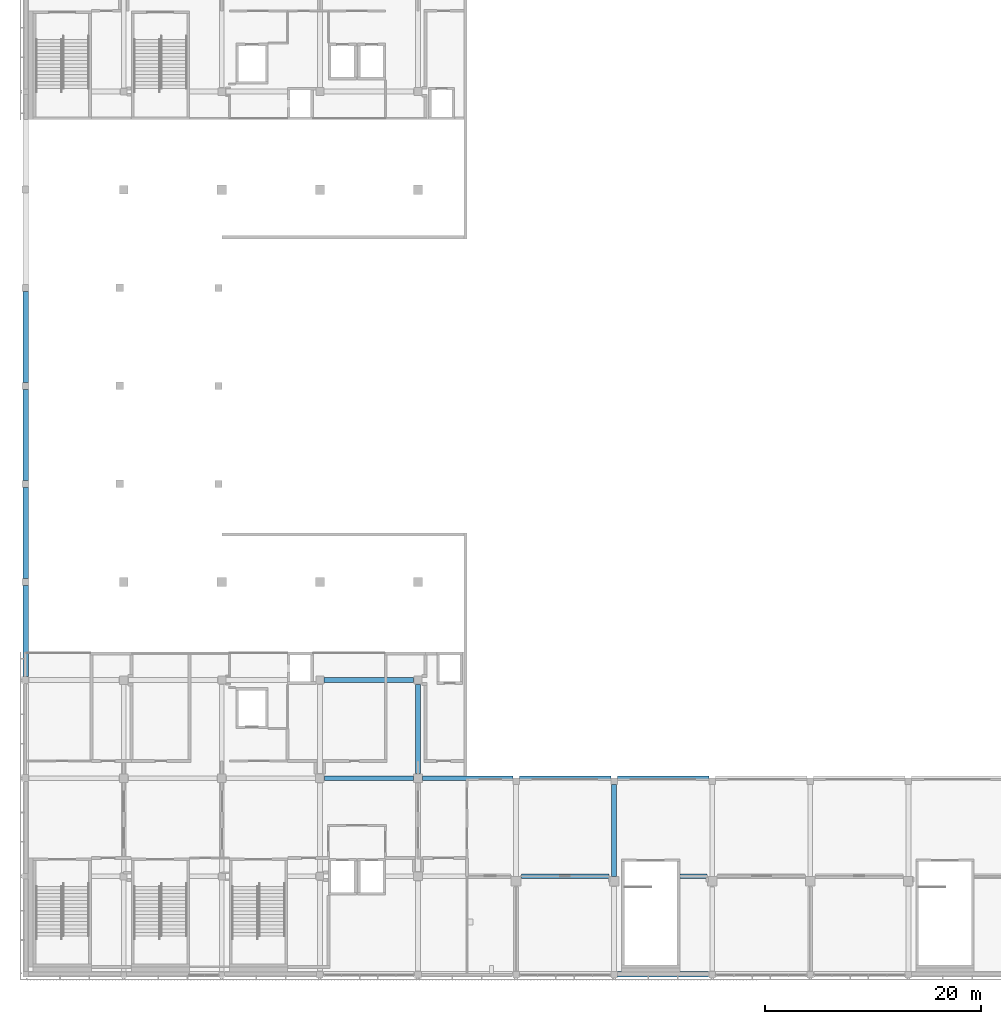
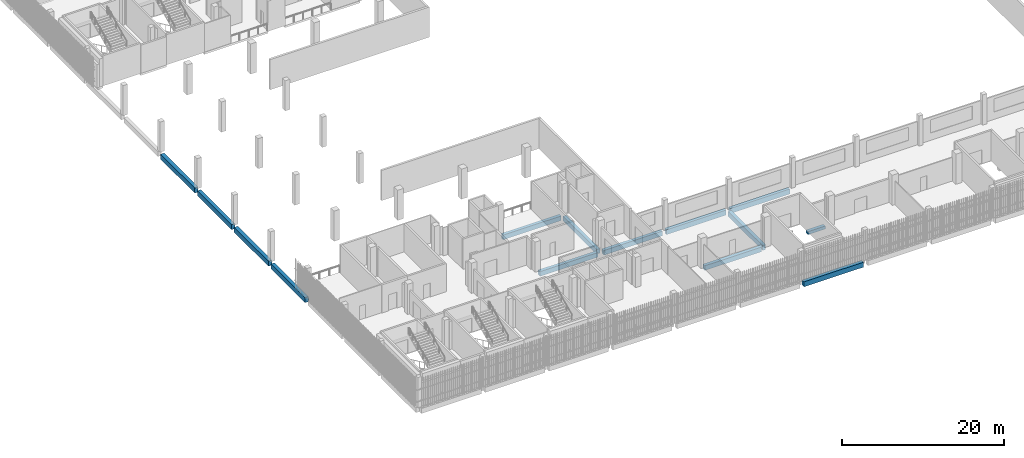
# One storey, part 11 of 104: 14 beams.
"""IFC4 building model written with IfcOpenShell, lengths in metres."""

from ifc_helpers import new_model, si_unit, direction, frame, origin, origin_2d, place, context, subcontext, project, spatial, rectangle, extrude, material, material_profile, profile_set, type_object, element, save


model = new_model("IFC4")

# Units and contexts
model_context = context("Model", 3, precision=1e-05, world=origin(), true_north=direction((0.0, 1.0)))
body_context = subcontext(model_context, "Body", "Model", "MODEL_VIEW")
ifc_project = project(units=[si_unit("LENGTHUNIT", "METRE"), si_unit("AREAUNIT", "SQUARE_METRE"), si_unit("VOLUMEUNIT", "CUBIC_METRE"), si_unit("PLANEANGLEUNIT", "RADIAN"), si_unit("MASSUNIT", "GRAM", prefix="KILO")], contexts=[model_context])

# Site, building, storey
site_placement = place(None, origin())
site = spatial("IfcSite", under=ifc_project, at=site_placement, CompositionType="ELEMENT")
building_placement = place(site_placement, origin())
building = spatial("IfcBuilding", under=site, at=building_placement, Name="Shirokan Park Arena", CompositionType="ELEMENT")
storey_placement = place(building_placement, frame((0.0, 0.0, 10.919921875)))
storey = spatial("IfcBuildingStorey", under=building, at=storey_placement, Name="L02", CompositionType="ELEMENT", Elevation=10.919921875)

# Beams
ifc_material = material(Name="Concrete C35", Category="concrete")
ifc_material_profile_1 = material_profile(ifc_material, rectangle(XDim=0.449951171875, YDim=0.699951171875, at=origin_2d()), Name="450x700")
ifc_profile_set_1 = profile_set([ifc_material_profile_1], Name="Concrete C35")
beam_type_1 = type_object("IfcBeamType", Name="RC girder 450x700", PredefinedType="BEAM", material=ifc_profile_set_1)
beam_1_placement = place(storey_placement, frame((27.72509765625, 18.199951171875, -0.64990234375), z_axis=(1.0, 0.0, 0.0), x_axis=(0.0, 1.0, 0.0)))
element("IfcBeam", 1, at=beam_1_placement, inside=storey, type_object=beam_type_1, Name="Girder 4C-5C L02", PredefinedType="BEAM", context=body_context, shape_type="SweptSolid", body=[
    extrude(rectangle(XDim=0.449951171875, YDim=0.699951171875, at=origin_2d()), origin(), (0.0, 0.0, 1.0), 8.249755859375),
])
beam_2_placement = place(storey_placement, frame((27.7001953125, 27.300048828125, -0.64990234375), z_axis=(1.0, 0.0, 0.0), x_axis=(0.0, 1.0, 0.0)))
element("IfcBeam", 2, at=beam_2_placement, inside=storey, type_object=beam_type_1, Name="Girder 4D-5D L02", PredefinedType="BEAM", context=body_context, shape_type="SweptSolid", body=[
    extrude(rectangle(XDim=0.449951171875, YDim=0.699951171875, at=origin_2d()), origin(), (0.0, 0.0, 1.0), 8.2998046875),
])
beam_3_placement = place(storey_placement, frame((36.8251953125, 18.199951171875, -0.64990234375), z_axis=(1.0, 0.0, 0.0), x_axis=(0.0, 1.0, 0.0)))
element("IfcBeam", 3, at=beam_3_placement, inside=storey, type_object=beam_type_1, Name="Girder 5C-6C L02", PredefinedType="BEAM", context=body_context, shape_type="SweptSolid", body=[
    extrude(rectangle(XDim=0.449951171875, YDim=0.699951171875, at=origin_2d()), origin(), (0.0, 0.0, 1.0), 8.374755859375),
])
beam_4_placement = place(storey_placement, frame((46.0, 9.10009765625, -0.64990234375), z_axis=(1.0, 0.0, 0.0), x_axis=(0.0, 1.0, 0.0)))
element("IfcBeam", 4, at=beam_4_placement, inside=storey, type_object=beam_type_1, Name="Girder 6B-7B L02", PredefinedType="BEAM", context=body_context, shape_type="SweptSolid", body=[
    extrude(rectangle(XDim=0.449951171875, YDim=0.699951171875, at=origin_2d()), origin(), (0.0, 0.0, 1.0), 8.125),
])
beam_5_placement = place(storey_placement, frame((36.39990234375, 18.625, -0.64990234375), z_axis=(0.0, 1.0, 0.0), x_axis=(-1.0, 0.0, 0.0)))
element("IfcBeam", 5, at=beam_5_placement, inside=storey, type_object=beam_type_1, Name="Girder 5C-5D L02", PredefinedType="BEAM", context=body_context, shape_type="SweptSolid", body=[
    extrude(rectangle(XDim=0.449951171875, YDim=0.699951171875, at=origin_2d()), origin(), (0.0, 0.0, 1.0), 8.27490234375),
])
ifc_material_profile_2 = material_profile(ifc_material, rectangle(XDim=0.449951171875, YDim=0.75, at=origin_2d()), Name="450x750")
ifc_profile_set_2 = profile_set([ifc_material_profile_2], Name="Concrete C35")
beam_type_2 = type_object("IfcBeamType", Name="RC girder 450x750", PredefinedType="BEAM", material=ifc_profile_set_2)
for number, where, z_axis, x_axis, name in (
    (6, (45.800048828125, 18.199951171875, -0.6748046875), (1.0, 0.0, 0.0), (0.0, 1.0, 0.0), "Girder 6C-7C L02"),
    (7, (54.900146484375, 18.199951171875, -0.6748046875), (1.0, 0.0, 0.0), (0.0, 1.0, 0.0), "Girder 7C-8C L02"),
    (8, (54.60009765625, 9.10009765625, -0.6748046875), (0.0, 1.0, 0.0), (-1.0, 0.0, 0.0), "Girder 7B-7C L02"),
):
    element("IfcBeam", number, at=place(storey_placement, frame(where, z_axis=z_axis, x_axis=x_axis)), inside=storey, type_object=beam_type_2, Name=name, PredefinedType="BEAM", context=body_context, shape_type="SweptSolid", body=[
        extrude(rectangle(XDim=0.449951171875, YDim=0.75, at=origin_2d()), origin(), (0.0, 0.0, 1.0), 8.499755859375),
    ])
ifc_material_profile_3 = material_profile(ifc_material, rectangle(XDim=0.5, YDim=0.75, at=origin_2d()), Name="500x750")
ifc_profile_set_3 = profile_set([ifc_material_profile_3], Name="Concrete C35")
beam_type_3 = type_object("IfcBeamType", Name="RC girder 500x750", PredefinedType="BEAM", material=ifc_profile_set_3)
beam_6_placement = place(storey_placement, frame((54.900146484375, 0.0, -0.6748046875), z_axis=(1.0, 0.0, 0.0), x_axis=(0.0, 1.0, 0.0)))
element("IfcBeam", 9, at=beam_6_placement, inside=storey, type_object=beam_type_3, Name="Girder 7A-8A L02", PredefinedType="BEAM", context=body_context, shape_type="SweptSolid", body=[
    extrude(rectangle(XDim=0.5, YDim=0.75, at=origin_2d()), origin(), (0.0, 0.0, 1.0), 8.474853515625),
])
beam_7_placement = place(storey_placement, frame((0.0, 27.650146484375, -0.6748046875), z_axis=(0.0, 1.0, 0.0), x_axis=(-1.0, 0.0, 0.0)))
element("IfcBeam", 10, at=beam_7_placement, inside=storey, type_object=beam_type_3, Name="Girder 1D-1E L02", PredefinedType="BEAM", context=body_context, shape_type="SweptSolid", body=[
    extrude(rectangle(XDim=0.5, YDim=0.75, at=origin_2d()), origin(), (0.0, 0.0, 1.0), 8.4248046875),
])
for number, where, z_axis, x_axis, name in (
    (11, (0.0, 36.72509765625, -0.6748046875), (0.0, 1.0, 0.0), (-1.0, 0.0, 0.0), "Girder 1E-1F L02"),
    (12, (0.0, 45.8251953125, -0.6748046875), (0.0, 1.0, 0.0), (-1.0, 0.0, 0.0), "Girder 1F-1G L02"),
):
    element("IfcBeam", number, at=place(storey_placement, frame(where, z_axis=z_axis, x_axis=x_axis)), inside=storey, type_object=beam_type_3, Name=name, PredefinedType="BEAM", context=body_context, shape_type="SweptSolid", body=[
        extrude(rectangle(XDim=0.5, YDim=0.75, at=origin_2d()), origin(), (0.0, 0.0, 1.0), 8.44970703125),
    ])
beam_8_placement = place(storey_placement, frame((0.0, 54.925048828125, -0.6748046875), z_axis=(0.0, 1.0, 0.0), x_axis=(-1.0, 0.0, 0.0)))
element("IfcBeam", 13, at=beam_8_placement, inside=storey, type_object=beam_type_3, Name="Girder 1G-1H L02", PredefinedType="BEAM", context=body_context, shape_type="SweptSolid", body=[
    extrude(rectangle(XDim=0.5, YDim=0.75, at=origin_2d()), origin(), (0.0, 0.0, 1.0), 8.449951171875),
])
ifc_material_profile_4 = material_profile(ifc_material, rectangle(XDim=0.449951171875, YDim=0.449951171875, at=origin_2d()), Name="450x450")
ifc_profile_set_4 = profile_set([ifc_material_profile_4], Name="Concrete C35")
beam_type_4 = type_object("IfcBeamType", Name="RC trimmer 450x450", PredefinedType="BEAM", material=ifc_profile_set_4)
beam_9_placement = place(storey_placement, frame((60.699951171875, 9.10009765625, -0.52490234375), z_axis=(1.0, 0.0, 0.0), x_axis=(0.0, 1.0, 0.0)))
element("IfcBeam", 14, at=beam_9_placement, inside=storey, type_object=beam_type_4, Name="Girder 7B-8B L02", PredefinedType="BEAM", context=body_context, shape_type="SweptSolid", body=[
    extrude(rectangle(XDim=0.449951171875, YDim=0.449951171875, at=origin_2d()), origin(), (0.0, 0.0, 1.0), 2.5),
])

save(model, "model.ifc")
